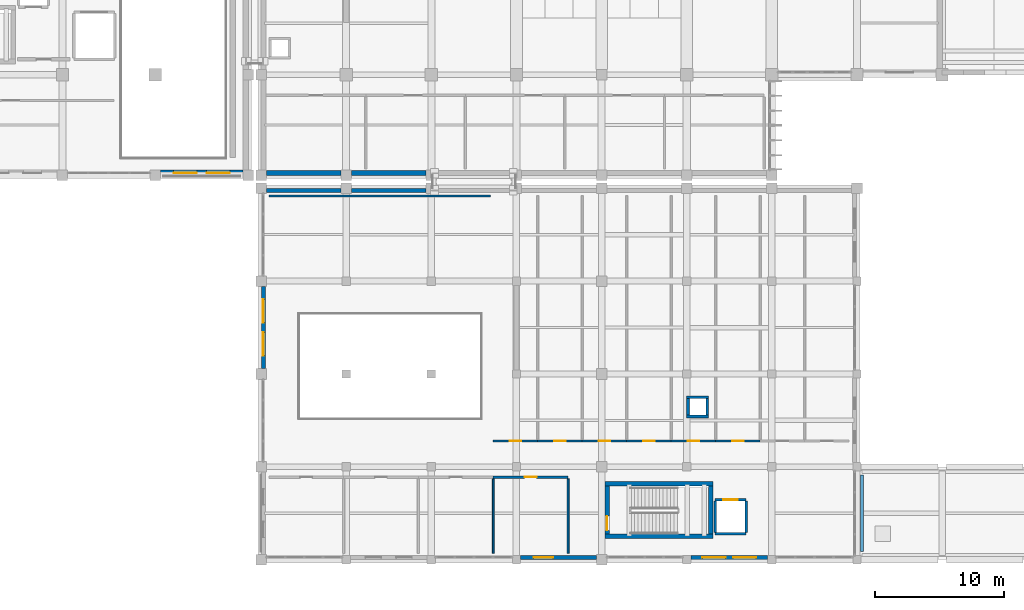
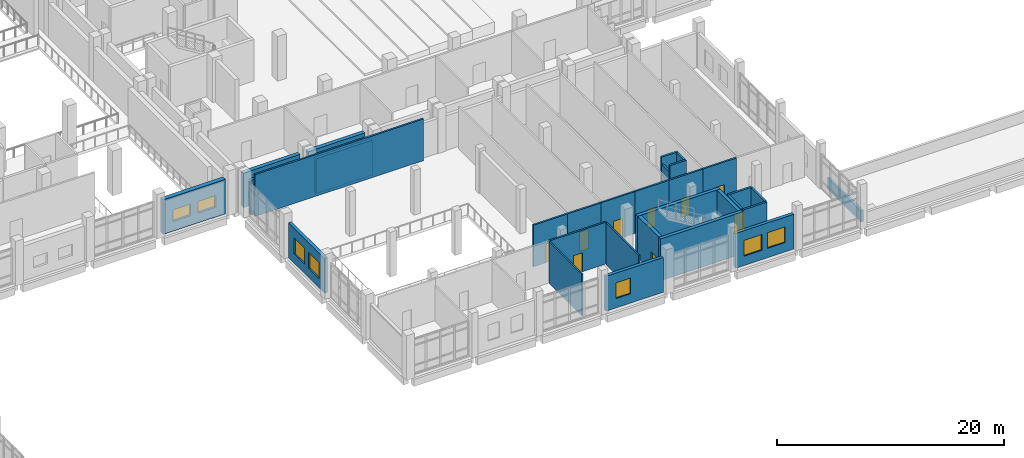
# One storey, part 65 of 90: 31 walls, 9 doors, 7 windows, 16 openings.
"""IFC4 building model written with IfcOpenShell, lengths in metres."""

from ifc_helpers import new_model, si_unit, direction, frame, frame_2d, origin, place, context, subcontext, project, spatial, rectangle, extrude, material, layer, layer_set, type_object, element, fill, save


model = new_model("IFC4")

# Units and contexts
model_context = context("Model", 3, precision=1e-05, world=origin(), true_north=direction((0.0, 1.0)))
body_context = subcontext(model_context, "Body", "Model", "MODEL_VIEW")
ifc_project = project(units=[si_unit("LENGTHUNIT", "METRE"), si_unit("AREAUNIT", "SQUARE_METRE"), si_unit("VOLUMEUNIT", "CUBIC_METRE"), si_unit("PLANEANGLEUNIT", "RADIAN"), si_unit("MASSUNIT", "GRAM", prefix="KILO")], contexts=[model_context])

# Site, building, storey
site_placement = place(None, origin())
site = spatial("IfcSite", under=ifc_project, at=site_placement, CompositionType="ELEMENT")
building_placement = place(site_placement, origin())
building = spatial("IfcBuilding", under=site, at=building_placement, Name="Kelarvand Opera House", CompositionType="ELEMENT")
storey_placement = place(building_placement, frame((0.0, 0.0, 5.39990234375)))
storey = spatial("IfcBuildingStorey", under=building, at=storey_placement, Name="L01", CompositionType="ELEMENT", Elevation=5.39990234375)

# Walls
ifc_material_1 = material(Name="Concrete C35/45", Category="concrete")
ifc_layer_1 = layer(ifc_material_1, 0.39990234375, Name="Concrete C35/45", Category="concrete")
ifc_layer_set_1 = layer_set([ifc_layer_1], Name="Concrete C35/45")
wall_type_1 = type_object("IfcWallType", Name="Acoustic Brick-Travertine Double Wall 400", PredefinedType="SOLIDWALL", material=ifc_layer_set_1)
for number, where, z_axis, x_axis, name in (
    (1, (101.7900390625, 38.97998046875, 0.0), (0.0, 0.0, 1.0), (-1.0, 0.0, 0.0), "V1 L01 Exterior Wall EW-400 (87)"),
    (2, (95.18994140625, 38.97998046875, 0.0), (0.0, 0.0, 1.0), (-1.0, 0.0, 0.0), "V1 L01 Exterior Wall EW-400 (88)"),
):
    element("IfcWall", number, at=place(storey_placement, frame(where, z_axis=z_axis, x_axis=x_axis)), inside=storey, type_object=wall_type_1, Name=name, PredefinedType="SOLIDWALL", context=body_context, shape_type="SweptSolid", body=[
        extrude(rectangle(XDim=5.780029296875, YDim=0.39990234375, at=frame_2d((2.89013671875, 0.0))), origin(), (0.0, 0.0, 1.0), 3.72216796875),
    ])
ifc_material_2 = material(Name="Acoustic double-stud gypsum partition")
ifc_layer_2 = layer(ifc_material_2, 0.14990234375, Name="Acoustic double-stud gypsum partition")
ifc_layer_set_2 = layer_set([ifc_layer_2], Name="Acoustic double-stud gypsum partition")
wall_type_2 = type_object("IfcWallType", Name="Acoustic Room Partition Wall 150", PredefinedType="PARTITIONING", material=ifc_layer_set_2)
for number, where, z_axis, x_axis, name in (
    (3, (107.0, 9.5, 0.0), (0.0, 0.0, 1.0), (0.0, 1.0, 0.0), "V6 L01 Partition Wall IW-150 (421)"),
    (4, (112.800048828125, 9.5, 0.0), (0.0, 0.0, 1.0), (0.0, 1.0, 0.0), "V6 L01 Partition Wall IW-150 (422)"),
):
    element("IfcWall", number, at=place(storey_placement, frame(where, z_axis=z_axis, x_axis=x_axis)), inside=storey, type_object=wall_type_2, Name=name, PredefinedType="PARTITIONING", context=body_context, shape_type="SweptSolid", body=[
        extrude(rectangle(XDim=5.760009765625, YDim=0.14990234375, at=frame_2d((2.8798828125, 0.0))), origin(), (0.0, 0.0, 1.0), 4.4921875),
    ])
ifc_layer_3 = layer(ifc_material_1, 0.239990234375, Name="Concrete C35/45", Category="concrete")
ifc_layer_set_3 = layer_set([ifc_layer_3], Name="Concrete C35/45")
wall_type_3 = type_object("IfcWallType", Name="Capped Travertine Roof Parapet 240", PredefinedType="PARAPET", material=ifc_layer_set_3)
wall_1_placement = place(storey_placement, frame((135.580078125, 15.580078125, 0.0), z_axis=(0.0, 0.0, 1.0), x_axis=(0.0, -1.0, 0.0)))
element("IfcWall", 5, at=wall_1_placement, inside=storey, type_object=wall_type_3, Name="V6 Roof Parapet 43", PredefinedType="PARAPET", context=body_context, shape_type="SweptSolid", body=[
    extrude(rectangle(XDim=5.9599609375, YDim=0.239990234375, at=frame_2d((2.97998046875, 0.0))), origin(), (0.0, 0.0, 1.0), 1.2001953125),
])
ifc_material_3 = material(Name="Concrete C40/50", Category="concrete")
ifc_layer_4 = layer(ifc_material_3, 0.35009765625, Name="Concrete C40/50", Category="concrete")
ifc_layer_set_4 = layer_set([ifc_layer_4], Name="Concrete C40/50")
wall_type_4 = type_object("IfcWallType", Name="Core Stair and Lift Shear Wall 350", PredefinedType="SHEAR", material=ifc_layer_set_4)
for number, where, z_axis, x_axis, name in (
    (6, (115.64990234375, 10.824951171875, 0.0), (0.0, 0.0, 1.0), (1.0, 0.0, 0.0), "C8 Stair Core Shear Wall S L01"),
    (7, (124.050048828125, 14.875, 0.0), (0.0, 0.0, 1.0), (-1.0, 0.0, 0.0), "C8 Stair Core Shear Wall N L01"),
):
    element("IfcWall", number, at=place(storey_placement, frame(where, z_axis=z_axis, x_axis=x_axis)), inside=storey, type_object=wall_type_4, Name=name, PredefinedType="SHEAR", context=body_context, shape_type="SweptSolid", body=[
        extrude(rectangle(XDim=8.400146484375, YDim=0.35009765625, at=frame_2d((4.2001953125, 0.0))), origin(), (0.0, 0.0, 1.0), 4.5),
    ])

# Wall, opening, door
wall_2_placement = place(storey_placement, frame((115.824951171875, 11.0, 0.0), z_axis=(0.0, 0.0, 1.0), x_axis=(0.0, 1.0, 0.0)))
wall_2 = element("IfcWall", 8, at=wall_2_placement, inside=storey, type_object=wall_type_4, Name="C8 Stair Core Shear Wall W L01", PredefinedType="SHEAR", context=body_context, shape_type="SweptSolid", body=[
    extrude(rectangle(XDim=3.699951171875, YDim=0.35009765625, at=frame_2d((1.85009765625, 0.0))), origin(), (0.0, 0.0, 1.0), 4.5),
])
opening_1_placement = place(wall_2_placement, frame((0.280029296875, 0.0, 0.0)))
opening_1 = element("IfcOpeningElement", 9, at=opening_1_placement, cuts=wall_2, Name="Opening FD-01", PredefinedType="OPENING", context=body_context, shape_type="SweptSolid", body=[
    extrude(rectangle(XDim=1.10009765625, YDim=2.080078125, at=frame_2d((0.550048828125, 1.0400390625))), frame((0.0, 0.18505859375, 0.0), z_axis=(0.0, -1.0, 0.0), x_axis=(1.0, 0.0, 0.0)), (0.0, 0.0, 1.0), 0.3701171875),
])
ifc_material_4 = material(Name="Fire-rated brushed stainless steel", Category="steel")
door_type_1 = type_object("IfcDoorType", Name="Steel Fire-Rated Stair and FF Lobby Door 1100x2080", OperationType="NOTDEFINED", PredefinedType="DOOR", material=ifc_material_4)
door_1_placement = place(opening_1_placement, origin())
door_1 = element("IfcDoor", 10, at=door_1_placement, inside=storey, type_object=door_type_1, Name="C8 Stair ST-08 Fire Door L01", OperationType="SINGLE_SWING_LEFT", OverallHeight=2.080078125, OverallWidth=1.10009765625, PredefinedType="DOOR", context=body_context, shape_type="SweptSolid", body=[
    extrude(rectangle(XDim=1.10009765625, YDim=2.080078125, at=frame_2d((0.550048828125, 1.0400390625))), frame((0.0, 0.02490234375, 0.0), z_axis=(0.0, -1.0, 0.0), x_axis=(1.0, 0.0, 0.0)), (0.0, 0.0, 1.0), 0.050048828125),
])
fill(opening_1, door_1)

# Wall
wall_3_placement = place(storey_placement, frame((123.875, 14.699951171875, 0.0), z_axis=(0.0, 0.0, 1.0), x_axis=(0.0, -1.0, 0.0)))
element("IfcWall", 11, at=wall_3_placement, inside=storey, type_object=wall_type_4, Name="C8 Stair Core Shear Wall E L01", PredefinedType="SHEAR", context=body_context, shape_type="SweptSolid", body=[
    extrude(rectangle(XDim=3.699951171875, YDim=0.35009765625, at=frame_2d((1.85009765625, 0.0))), origin(), (0.0, 0.0, 1.0), 4.5),
])

# Wall, opening, door
ifc_layer_5 = layer(ifc_material_1, 0.179931640625, Name="Concrete C35/45", Category="concrete")
ifc_layer_set_5 = layer_set([ifc_layer_5], Name="Concrete C35/45")
wall_type_5 = type_object("IfcWallType", Name="Corridor Fire-Rated Partition Wall 180 EI90", PredefinedType="PARTITIONING", material=ifc_layer_set_5)
wall_4_placement = place(storey_placement, frame((107.0, 15.39990234375, 0.0), z_axis=(0.0, 0.0, 1.0), x_axis=(1.0, 0.0, 0.0)))
wall_4 = element("IfcWall", 12, at=wall_4_placement, inside=storey, type_object=wall_type_5, Name="V6 L01 Partition Wall IW-90 (423)", PredefinedType="PARTITIONING", context=body_context, shape_type="SweptSolid", body=[
    extrude(rectangle(XDim=5.800048828125, YDim=0.179931640625, at=frame_2d((2.89990234375, 0.0))), origin(), (0.0, 0.0, 1.0), 4.4921875),
])
opening_2_placement = place(wall_4_placement, frame((2.43994140625, 0.0, 0.0)))
opening_2 = element("IfcOpeningElement", 13, at=opening_2_placement, cuts=wall_4, Name="Opening D-01", PredefinedType="OPENING", context=body_context, shape_type="SweptSolid", body=[
    extrude(rectangle(XDim=0.919921875, YDim=2.050048828125, at=frame_2d((0.4599609375, 1.02490234375))), frame((0.0, 0.10009765625, 0.0), z_axis=(0.0, -1.0, 0.0), x_axis=(1.0, 0.0, 0.0)), (0.0, 0.0, 1.0), 0.199951171875),
])
ifc_material_5 = material(Name="Acoustic walnut-veneered hardwood", Category="wood")
door_type_2 = type_object("IfcDoorType", Name="Solid Timber Dressing and WC Door 920x2050", OperationType="NOTDEFINED", PredefinedType="DOOR", material=ifc_material_5)
door_2_placement = place(opening_2_placement, origin())
door_2 = element("IfcDoor", 14, at=door_2_placement, inside=storey, type_object=door_type_2, Name="V6 L01 Door D-01 (189)", OperationType="SINGLE_SWING_RIGHT", OverallHeight=2.050048828125, OverallWidth=0.919921875, PredefinedType="DOOR", context=body_context, shape_type="SweptSolid", body=[
    extrude(rectangle(XDim=0.919921875, YDim=2.050048828125, at=frame_2d((0.4599609375, 1.02490234375))), frame((0.0, 0.02490234375, 0.0), z_axis=(0.0, -1.0, 0.0), x_axis=(1.0, 0.0, 0.0)), (0.0, 0.0, 1.0), 0.050048828125),
])
fill(opening_2, door_2)

# Wall
wall_5_placement = place(storey_placement, frame((89.60009765625, 37.199951171875, 0.0), z_axis=(0.0, 0.0, 1.0), x_axis=(1.0, 0.0, 0.0)))
element("IfcWall", 15, at=wall_5_placement, inside=storey, type_object=wall_type_5, Name="V6 L01 Partition Wall IW-90 (424)", PredefinedType="PARTITIONING", context=body_context, shape_type="SweptSolid", body=[
    extrude(rectangle(XDim=17.199951171875, YDim=0.179931640625, at=frame_2d((8.60009765625, 0.0))), origin(), (0.0, 0.0, 1.0), 4.4921875),
])

# Wall, opening, door
wall_6_placement = place(storey_placement, frame((107.0, 18.199951171875, 0.0), z_axis=(0.0, 0.0, 1.0), x_axis=(1.0, 0.0, 0.0)))
wall_6 = element("IfcWall", 16, at=wall_6_placement, inside=storey, type_object=wall_type_5, Name="V6 L01 Partition Wall IW-90 (425)", PredefinedType="PARTITIONING", context=body_context, shape_type="SweptSolid", body=[
    extrude(rectangle(XDim=3.449951171875, YDim=0.179931640625, at=frame_2d((1.72509765625, 0.0))), origin(), (0.0, 0.0, 1.0), 4.4921875),
])
opening_3_placement = place(wall_6_placement, frame((1.264892578125, 0.0, 0.0)))
opening_3 = element("IfcOpeningElement", 17, at=opening_3_placement, cuts=wall_6, Name="Opening D-01", PredefinedType="OPENING", context=body_context, shape_type="SweptSolid", body=[
    extrude(rectangle(XDim=0.919921875, YDim=2.050048828125, at=frame_2d((0.4599609375, 1.02490234375))), frame((0.0, 0.10009765625, 0.0), z_axis=(0.0, -1.0, 0.0), x_axis=(1.0, 0.0, 0.0)), (0.0, 0.0, 1.0), 0.199951171875),
])
door_3_placement = place(opening_3_placement, origin())
door_3 = element("IfcDoor", 18, at=door_3_placement, inside=storey, type_object=door_type_2, Name="V6 L01 Door D-01 (190)", OperationType="SINGLE_SWING_LEFT", OverallHeight=2.050048828125, OverallWidth=0.919921875, PredefinedType="DOOR", context=body_context, shape_type="SweptSolid", body=[
    extrude(rectangle(XDim=0.919921875, YDim=2.050048828125, at=frame_2d((0.4599609375, 1.02490234375))), frame((0.0, 0.02490234375, 0.0), z_axis=(0.0, -1.0, 0.0), x_axis=(1.0, 0.0, 0.0)), (0.0, 0.0, 1.0), 0.050048828125),
])
fill(opening_3, door_3)

wall_7_placement = place(storey_placement, frame((110.449951171875, 18.199951171875, 0.0), z_axis=(0.0, 0.0, 1.0), x_axis=(1.0, 0.0, 0.0)))
wall_7 = element("IfcWall", 19, at=wall_7_placement, inside=storey, type_object=wall_type_5, Name="V6 L01 Partition Wall IW-90 (427)", PredefinedType="PARTITIONING", context=body_context, shape_type="SweptSolid", body=[
    extrude(rectangle(XDim=3.449951171875, YDim=0.179931640625, at=frame_2d((1.72509765625, 0.0))), origin(), (0.0, 0.0, 1.0), 4.4921875),
])
opening_4_placement = place(wall_7_placement, frame((1.264892578125, 0.0, 0.0)))
opening_4 = element("IfcOpeningElement", 20, at=opening_4_placement, cuts=wall_7, Name="Opening D-01", PredefinedType="OPENING", context=body_context, shape_type="SweptSolid", body=[
    extrude(rectangle(XDim=0.919921875, YDim=2.050048828125, at=frame_2d((0.4599609375, 1.02490234375))), frame((0.0, 0.10009765625, 0.0), z_axis=(0.0, -1.0, 0.0), x_axis=(1.0, 0.0, 0.0)), (0.0, 0.0, 1.0), 0.199951171875),
])
door_4_placement = place(opening_4_placement, origin())
door_4 = element("IfcDoor", 21, at=door_4_placement, inside=storey, type_object=door_type_2, Name="V6 L01 Door D-01 (191)", OperationType="SINGLE_SWING_RIGHT", OverallHeight=2.050048828125, OverallWidth=0.919921875, PredefinedType="DOOR", context=body_context, shape_type="SweptSolid", body=[
    extrude(rectangle(XDim=0.919921875, YDim=2.050048828125, at=frame_2d((0.4599609375, 1.02490234375))), frame((0.0, 0.02490234375, 0.0), z_axis=(0.0, -1.0, 0.0), x_axis=(1.0, 0.0, 0.0)), (0.0, 0.0, 1.0), 0.050048828125),
])
fill(opening_4, door_4)

wall_8_placement = place(storey_placement, frame((113.89990234375, 18.199951171875, 0.0), z_axis=(0.0, 0.0, 1.0), x_axis=(1.0, 0.0, 0.0)))
wall_8 = element("IfcWall", 22, at=wall_8_placement, inside=storey, type_object=wall_type_5, Name="V6 L01 Partition Wall IW-90 (429)", PredefinedType="PARTITIONING", context=body_context, shape_type="SweptSolid", body=[
    extrude(rectangle(XDim=3.4501953125, YDim=0.179931640625, at=frame_2d((1.72509765625, 0.0))), origin(), (0.0, 0.0, 1.0), 4.4921875),
])
opening_5_placement = place(wall_8_placement, frame((1.264892578125, 0.0, 0.0)))
opening_5 = element("IfcOpeningElement", 23, at=opening_5_placement, cuts=wall_8, Name="Opening D-01", PredefinedType="OPENING", context=body_context, shape_type="SweptSolid", body=[
    extrude(rectangle(XDim=0.919921875, YDim=2.050048828125, at=frame_2d((0.4599609375, 1.02490234375))), frame((0.0, 0.10009765625, 0.0), z_axis=(0.0, -1.0, 0.0), x_axis=(1.0, 0.0, 0.0)), (0.0, 0.0, 1.0), 0.199951171875),
])
door_5_placement = place(opening_5_placement, origin())
door_5 = element("IfcDoor", 24, at=door_5_placement, inside=storey, type_object=door_type_2, Name="V6 L01 Door D-01 (192)", OperationType="SINGLE_SWING_LEFT", OverallHeight=2.050048828125, OverallWidth=0.919921875, PredefinedType="DOOR", context=body_context, shape_type="SweptSolid", body=[
    extrude(rectangle(XDim=0.919921875, YDim=2.050048828125, at=frame_2d((0.4599609375, 1.02490234375))), frame((0.0, 0.02490234375, 0.0), z_axis=(0.0, -1.0, 0.0), x_axis=(1.0, 0.0, 0.0)), (0.0, 0.0, 1.0), 0.050048828125),
])
fill(opening_5, door_5)

wall_9_placement = place(storey_placement, frame((117.35009765625, 18.199951171875, 0.0), z_axis=(0.0, 0.0, 1.0), x_axis=(1.0, 0.0, 0.0)))
wall_9 = element("IfcWall", 25, at=wall_9_placement, inside=storey, type_object=wall_type_5, Name="V6 L01 Partition Wall IW-90 (431)", PredefinedType="PARTITIONING", context=body_context, shape_type="SweptSolid", body=[
    extrude(rectangle(XDim=3.449951171875, YDim=0.179931640625, at=frame_2d((1.72509765625, 0.0))), origin(), (0.0, 0.0, 1.0), 4.4921875),
])
opening_6_placement = place(wall_9_placement, frame((1.264892578125, 0.0, 0.0)))
opening_6 = element("IfcOpeningElement", 26, at=opening_6_placement, cuts=wall_9, Name="Opening D-01", PredefinedType="OPENING", context=body_context, shape_type="SweptSolid", body=[
    extrude(rectangle(XDim=0.919921875, YDim=2.050048828125, at=frame_2d((0.4599609375, 1.02490234375))), frame((0.0, 0.10009765625, 0.0), z_axis=(0.0, -1.0, 0.0), x_axis=(1.0, 0.0, 0.0)), (0.0, 0.0, 1.0), 0.199951171875),
])
door_6_placement = place(opening_6_placement, origin())
door_6 = element("IfcDoor", 27, at=door_6_placement, inside=storey, type_object=door_type_2, Name="V6 L01 Door D-01 (193)", OperationType="SINGLE_SWING_RIGHT", OverallHeight=2.050048828125, OverallWidth=0.919921875, PredefinedType="DOOR", context=body_context, shape_type="SweptSolid", body=[
    extrude(rectangle(XDim=0.919921875, YDim=2.050048828125, at=frame_2d((0.4599609375, 1.02490234375))), frame((0.0, 0.02490234375, 0.0), z_axis=(0.0, -1.0, 0.0), x_axis=(1.0, 0.0, 0.0)), (0.0, 0.0, 1.0), 0.050048828125),
])
fill(opening_6, door_6)

wall_10_placement = place(storey_placement, frame((120.800048828125, 18.199951171875, 0.0), z_axis=(0.0, 0.0, 1.0), x_axis=(1.0, 0.0, 0.0)))
wall_10 = element("IfcWall", 28, at=wall_10_placement, inside=storey, type_object=wall_type_5, Name="V6 L01 Partition Wall IW-90 (433)", PredefinedType="PARTITIONING", context=body_context, shape_type="SweptSolid", body=[
    extrude(rectangle(XDim=3.449951171875, YDim=0.179931640625, at=frame_2d((1.72509765625, 0.0))), origin(), (0.0, 0.0, 1.0), 4.4921875),
])
opening_7_placement = place(wall_10_placement, frame((1.264892578125, 0.0, 0.0)))
opening_7 = element("IfcOpeningElement", 29, at=opening_7_placement, cuts=wall_10, Name="Opening D-01", PredefinedType="OPENING", context=body_context, shape_type="SweptSolid", body=[
    extrude(rectangle(XDim=0.919921875, YDim=2.050048828125, at=frame_2d((0.4599609375, 1.02490234375))), frame((0.0, 0.10009765625, 0.0), z_axis=(0.0, -1.0, 0.0), x_axis=(1.0, 0.0, 0.0)), (0.0, 0.0, 1.0), 0.199951171875),
])
door_7_placement = place(opening_7_placement, origin())
door_7 = element("IfcDoor", 30, at=door_7_placement, inside=storey, type_object=door_type_2, Name="V6 L01 Door D-01 (194)", OperationType="SINGLE_SWING_LEFT", OverallHeight=2.050048828125, OverallWidth=0.919921875, PredefinedType="DOOR", context=body_context, shape_type="SweptSolid", body=[
    extrude(rectangle(XDim=0.919921875, YDim=2.050048828125, at=frame_2d((0.4599609375, 1.02490234375))), frame((0.0, 0.02490234375, 0.0), z_axis=(0.0, -1.0, 0.0), x_axis=(1.0, 0.0, 0.0)), (0.0, 0.0, 1.0), 0.050048828125),
])
fill(opening_7, door_7)

wall_11_placement = place(storey_placement, frame((124.25, 18.199951171875, 0.0), z_axis=(0.0, 0.0, 1.0), x_axis=(1.0, 0.0, 0.0)))
wall_11 = element("IfcWall", 31, at=wall_11_placement, inside=storey, type_object=wall_type_5, Name="V6 L01 Partition Wall IW-90 (435)", PredefinedType="PARTITIONING", context=body_context, shape_type="SweptSolid", body=[
    extrude(rectangle(XDim=3.449951171875, YDim=0.179931640625, at=frame_2d((1.72509765625, 0.0))), origin(), (0.0, 0.0, 1.0), 4.4921875),
])
opening_8_placement = place(wall_11_placement, frame((1.264892578125, 0.0, 0.0)))
opening_8 = element("IfcOpeningElement", 32, at=opening_8_placement, cuts=wall_11, Name="Opening D-01", PredefinedType="OPENING", context=body_context, shape_type="SweptSolid", body=[
    extrude(rectangle(XDim=0.919921875, YDim=2.050048828125, at=frame_2d((0.4599609375, 1.02490234375))), frame((0.0, 0.10009765625, 0.0), z_axis=(0.0, -1.0, 0.0), x_axis=(1.0, 0.0, 0.0)), (0.0, 0.0, 1.0), 0.199951171875),
])
door_8_placement = place(opening_8_placement, origin())
door_8 = element("IfcDoor", 33, at=door_8_placement, inside=storey, type_object=door_type_2, Name="V6 L01 Door D-01 (195)", OperationType="SINGLE_SWING_RIGHT", OverallHeight=2.050048828125, OverallWidth=0.919921875, PredefinedType="DOOR", context=body_context, shape_type="SweptSolid", body=[
    extrude(rectangle(XDim=0.919921875, YDim=2.050048828125, at=frame_2d((0.4599609375, 1.02490234375))), frame((0.0, 0.02490234375, 0.0), z_axis=(0.0, -1.0, 0.0), x_axis=(1.0, 0.0, 0.0)), (0.0, 0.0, 1.0), 0.050048828125),
])
fill(opening_8, door_8)

# Walls
ifc_layer_6 = layer(ifc_material_1, 0.320068359375, Name="Concrete C35/45", Category="concrete")
ifc_layer_set_6 = layer_set([ifc_layer_6], Name="Concrete C35/45")
wall_type_6 = type_object("IfcWallType", Name="Insulated Buff Brick Cavity Wall 320", PredefinedType="SOLIDWALL", material=ifc_layer_set_6)
for number, where, z_axis, x_axis, name in (
    (34, (89.409912109375, 37.6201171875, 0.0), (0.0, 0.0, 1.0), (1.0, 0.0, 0.0), "V6 L01 Exterior Wall EW-320 (723)"),
    (35, (96.010009765625, 37.6201171875, 0.0), (0.0, 0.0, 1.0), (1.0, 0.0, 0.0), "V6 L01 Exterior Wall EW-320 (724)"),
):
    element("IfcWall", number, at=place(storey_placement, frame(where, z_axis=z_axis, x_axis=x_axis)), inside=storey, type_object=wall_type_6, Name=name, PredefinedType="SOLIDWALL", context=body_context, shape_type="SweptSolid", body=[
        extrude(rectangle(XDim=5.780029296875, YDim=0.320068359375, at=frame_2d((2.89013671875, 0.0))), origin(), (0.0, 0.0, 1.0), 3.7421875),
    ])

# Wall, openings, windows
wall_12_placement = place(storey_placement, frame((89.179931640625, 23.81005859375, 0.0), z_axis=(0.0, 0.0, 1.0), x_axis=(0.0, 1.0, 0.0)))
wall_12 = element("IfcWall", 36, at=wall_12_placement, inside=storey, type_object=wall_type_6, Name="V6 L01 Exterior Wall EW-320 (731)", PredefinedType="SOLIDWALL", context=body_context, shape_type="SweptSolid", body=[
    extrude(rectangle(XDim=6.3798828125, YDim=0.320068359375, at=frame_2d((3.18994140625, 0.0))), origin(), (0.0, 0.0, 1.0), 3.7421875),
])
opening_9_placement = place(wall_12_placement, frame((1.013916015625, 0.0, 1.0)))
opening_9 = element("IfcOpeningElement", 37, at=opening_9_placement, cuts=wall_12, Name="Opening WN-18", PredefinedType="OPENING", context=body_context, shape_type="SweptSolid", body=[
    extrude(rectangle(XDim=1.800048828125, YDim=1.699951171875, at=frame_2d((0.89990234375, 0.85009765625))), frame((0.0, 0.169921875, 0.0), z_axis=(0.0, -1.0, 0.0), x_axis=(1.0, 0.0, 0.0)), (0.0, 0.0, 1.0), 0.340087890625),
])
opening_10_placement = place(wall_12_placement, frame((3.56591796875, 0.0, 1.0)))
opening_10 = element("IfcOpeningElement", 38, at=opening_10_placement, cuts=wall_12, Name="Opening WN-18", PredefinedType="OPENING", context=body_context, shape_type="SweptSolid", body=[
    extrude(rectangle(XDim=1.800048828125, YDim=1.699951171875, at=frame_2d((0.89990234375, 0.85009765625))), frame((0.0, 0.169921875, 0.0), z_axis=(0.0, -1.0, 0.0), x_axis=(1.0, 0.0, 0.0)), (0.0, 0.0, 1.0), 0.340087890625),
])
ifc_material_6 = material(Name="Thermally broken aluminium and low-E double glazing", Category="aluminium")
window_type_1 = type_object("IfcWindowType", Name="Recessed Aluminium Thermal Window 1800x1700 WN-18", PartitioningType="SINGLE_PANEL", PredefinedType="WINDOW", material=ifc_material_6)
window_1_placement = place(opening_9_placement, origin())
window_1 = element("IfcWindow", 39, at=window_1_placement, inside=storey, type_object=window_type_1, Name="V6 L01 Facade Window WN-18 (333)", OverallHeight=1.699951171875, OverallWidth=1.800048828125, PartitioningType="SINGLE_PANEL", PredefinedType="WINDOW", context=body_context, shape_type="SweptSolid", body=[
    extrude(rectangle(XDim=1.800048828125, YDim=1.699951171875, at=frame_2d((0.89990234375, 0.85009765625))), frame((0.0, 0.030029296875, 0.0), z_axis=(0.0, -1.0, 0.0), x_axis=(1.0, 0.0, 0.0)), (0.0, 0.0, 1.0), 0.06005859375),
])
fill(opening_9, window_1)
window_2_placement = place(opening_10_placement, origin())
window_2 = element("IfcWindow", 40, at=window_2_placement, inside=storey, type_object=window_type_1, Name="V6 L01 Facade Window WN-18 (334)", OverallHeight=1.699951171875, OverallWidth=1.800048828125, PartitioningType="SINGLE_PANEL", PredefinedType="WINDOW", context=body_context, shape_type="SweptSolid", body=[
    extrude(rectangle(XDim=1.800048828125, YDim=1.699951171875, at=frame_2d((0.89990234375, 0.85009765625))), frame((0.0, 0.030029296875, 0.0), z_axis=(0.0, -1.0, 0.0), x_axis=(1.0, 0.0, 0.0)), (0.0, 0.0, 1.0), 0.06005859375),
])
fill(opening_10, window_2)

wall_13_placement = place(storey_placement, frame((128.27490234375, 9.179931640625, 0.0), z_axis=(0.0, 0.0, 1.0), x_axis=(-1.0, 0.0, 0.0)))
wall_13 = element("IfcWall", 41, at=wall_13_placement, inside=storey, type_object=wall_type_6, Name="V6 L01 Exterior Wall EW-320 (732)", PredefinedType="SOLIDWALL", context=body_context, shape_type="SweptSolid", body=[
    extrude(rectangle(XDim=5.949951171875, YDim=0.320068359375, at=frame_2d((2.97509765625, 0.0))), origin(), (0.0, 0.0, 1.0), 3.7421875),
])
opening_11_placement = place(wall_13_placement, frame((0.885009765625, 0.0, 1.0)))
opening_11 = element("IfcOpeningElement", 42, at=opening_11_placement, cuts=wall_13, Name="Opening WN-18", PredefinedType="OPENING", context=body_context, shape_type="SweptSolid", body=[
    extrude(rectangle(XDim=1.800048828125, YDim=1.699951171875, at=frame_2d((0.89990234375, 0.85009765625))), frame((0.0, 0.169921875, 0.0), z_axis=(0.0, -1.0, 0.0), x_axis=(1.0, 0.0, 0.0)), (0.0, 0.0, 1.0), 0.340087890625),
])
opening_12_placement = place(wall_13_placement, frame((3.264892578125, 0.0, 1.0)))
opening_12 = element("IfcOpeningElement", 43, at=opening_12_placement, cuts=wall_13, Name="Opening WN-18", PredefinedType="OPENING", context=body_context, shape_type="SweptSolid", body=[
    extrude(rectangle(XDim=1.800048828125, YDim=1.699951171875, at=frame_2d((0.89990234375, 0.85009765625))), frame((0.0, 0.169921875, 0.0), z_axis=(0.0, -1.0, 0.0), x_axis=(1.0, 0.0, 0.0)), (0.0, 0.0, 1.0), 0.340087890625),
])
window_3_placement = place(opening_11_placement, origin())
window_3 = element("IfcWindow", 44, at=window_3_placement, inside=storey, type_object=window_type_1, Name="V6 L01 Facade Window WN-18 (335)", OverallHeight=1.699951171875, OverallWidth=1.800048828125, PartitioningType="SINGLE_PANEL", PredefinedType="WINDOW", context=body_context, shape_type="SweptSolid", body=[
    extrude(rectangle(XDim=1.800048828125, YDim=1.699951171875, at=frame_2d((0.89990234375, 0.85009765625))), frame((0.0, 0.030029296875, 0.0), z_axis=(0.0, -1.0, 0.0), x_axis=(1.0, 0.0, 0.0)), (0.0, 0.0, 1.0), 0.06005859375),
])
fill(opening_11, window_3)
window_4_placement = place(opening_12_placement, origin())
window_4 = element("IfcWindow", 45, at=window_4_placement, inside=storey, type_object=window_type_1, Name="V6 L01 Facade Window WN-18 (336)", OverallHeight=1.699951171875, OverallWidth=1.800048828125, PartitioningType="SINGLE_PANEL", PredefinedType="WINDOW", context=body_context, shape_type="SweptSolid", body=[
    extrude(rectangle(XDim=1.800048828125, YDim=1.699951171875, at=frame_2d((0.89990234375, 0.85009765625))), frame((0.0, 0.030029296875, 0.0), z_axis=(0.0, -1.0, 0.0), x_axis=(1.0, 0.0, 0.0)), (0.0, 0.0, 1.0), 0.06005859375),
])
fill(opening_12, window_4)

# Wall, opening, window
wall_14_placement = place(storey_placement, frame((114.989990234375, 9.179931640625, 0.0), z_axis=(0.0, 0.0, 1.0), x_axis=(-1.0, 0.0, 0.0)))
wall_14 = element("IfcWall", 46, at=wall_14_placement, inside=storey, type_object=wall_type_6, Name="V6 L01 Exterior Wall EW-320 (733)", PredefinedType="SOLIDWALL", context=body_context, shape_type="SweptSolid", body=[
    extrude(rectangle(XDim=5.864990234375, YDim=0.320068359375, at=frame_2d((2.9326171875, 0.0))), origin(), (0.0, 0.0, 1.0), 3.7421875),
])
opening_13_placement = place(wall_14_placement, frame((3.35498046875, 0.0, 1.0)))
opening_13 = element("IfcOpeningElement", 47, at=opening_13_placement, cuts=wall_14, Name="Opening WN-17", PredefinedType="OPENING", context=body_context, shape_type="SweptSolid", body=[
    extrude(rectangle(XDim=1.5, YDim=1.699951171875, at=frame_2d((0.75, 0.85009765625))), frame((0.0, 0.169921875, 0.0), z_axis=(0.0, -1.0, 0.0), x_axis=(1.0, 0.0, 0.0)), (0.0, 0.0, 1.0), 0.340087890625),
])
window_type_2 = type_object("IfcWindowType", Name="Recessed Aluminium Thermal Window 1500x1700 WN-17", PartitioningType="SINGLE_PANEL", PredefinedType="WINDOW", material=ifc_material_6)
window_5_placement = place(opening_13_placement, origin())
window_5 = element("IfcWindow", 48, at=window_5_placement, inside=storey, type_object=window_type_2, Name="V6 L01 Facade Window WN-17 (337)", OverallHeight=1.699951171875, OverallWidth=1.5, PartitioningType="SINGLE_PANEL", PredefinedType="WINDOW", context=body_context, shape_type="SweptSolid", body=[
    extrude(rectangle(XDim=1.5, YDim=1.699951171875, at=frame_2d((0.75, 0.85009765625))), frame((0.0, 0.030029296875, 0.0), z_axis=(0.0, -1.0, 0.0), x_axis=(1.0, 0.0, 0.0)), (0.0, 0.0, 1.0), 0.06005859375),
])
fill(opening_13, window_5)

# Walls
ifc_layer_7 = layer(ifc_material_1, 0.199951171875, Name="Concrete C35/45", Category="concrete")
ifc_layer_set_7 = layer_set([ifc_layer_7], Name="Concrete C35/45")
wall_type_7 = type_object("IfcWallType", Name="Lift and Riser Shaft Enclosure Wall 200 EI120", PredefinedType="PARTITIONING", material=ifc_layer_set_7)
for number, where, z_axis, x_axis, name in (
    (49, (122.0, 20.10009765625, 0.0), (0.0, 0.0, 1.0), (1.0, 0.0, 0.0), "RSR-V6 L01 Riser Shaft Wall 145"),
    (50, (123.699951171875, 21.60009765625, 0.0), (0.0, 0.0, 1.0), (-1.0, 0.0, 0.0), "RSR-V6 L01 Riser Shaft Wall 146"),
):
    element("IfcWall", number, at=place(storey_placement, frame(where, z_axis=z_axis, x_axis=x_axis)), inside=storey, type_object=wall_type_7, Name=name, PredefinedType="PARTITIONING", context=body_context, shape_type="SweptSolid", body=[
        extrude(rectangle(XDim=1.699951171875, YDim=0.199951171875, at=frame_2d((0.85009765625, 0.0))), origin(), (0.0, 0.0, 1.0), 4.5),
    ])
wall_15_placement = place(storey_placement, frame((122.10009765625, 20.199951171875, 0.0), z_axis=(0.0, 0.0, 1.0), x_axis=(0.0, 1.0, 0.0)))
element("IfcWall", 51, at=wall_15_placement, inside=storey, type_object=wall_type_7, Name="RSR-V6 L01 Riser Shaft Wall 147", PredefinedType="PARTITIONING", context=body_context, shape_type="SweptSolid", body=[
    extrude(rectangle(XDim=1.300048828125, YDim=0.199951171875, at=frame_2d((0.64990234375, 0.0))), origin(), (0.0, 0.0, 1.0), 3.7421875),
])
wall_16_placement = place(storey_placement, frame((123.60009765625, 21.5, 0.0), z_axis=(0.0, 0.0, 1.0), x_axis=(0.0, -1.0, 0.0)))
element("IfcWall", 52, at=wall_16_placement, inside=storey, type_object=wall_type_7, Name="RSR-V6 L01 Riser Shaft Wall 148", PredefinedType="PARTITIONING", context=body_context, shape_type="SweptSolid", body=[
    extrude(rectangle(XDim=1.300048828125, YDim=0.199951171875, at=frame_2d((0.64990234375, 0.0))), origin(), (0.0, 0.0, 1.0), 4.5),
])
wall_17_placement = place(storey_placement, frame((124.199951171875, 11.0, 0.0), z_axis=(0.0, 0.0, 1.0), x_axis=(1.0, 0.0, 0.0)))
element("IfcWall", 53, at=wall_17_placement, inside=storey, type_object=wall_type_7, Name="V6 L01 Partition Wall SW-200 (360)", PredefinedType="PARTITIONING", context=body_context, shape_type="SweptSolid", body=[
    extrude(rectangle(XDim=2.400146484375, YDim=0.199951171875, at=frame_2d((1.2001953125, 0.0))), origin(), (0.0, 0.0, 1.0), 4.4921875),
])

# Wall, opening, door
wall_18_placement = place(storey_placement, frame((126.60009765625, 13.64990234375, 0.0), z_axis=(0.0, 0.0, 1.0), x_axis=(-1.0, 0.0, 0.0)))
wall_18 = element("IfcWall", 54, at=wall_18_placement, inside=storey, type_object=wall_type_7, Name="V6 L01 Partition Wall SW-200 (361)", PredefinedType="PARTITIONING", context=body_context, shape_type="SweptSolid", body=[
    extrude(rectangle(XDim=2.400146484375, YDim=0.199951171875, at=frame_2d((1.2001953125, 0.0))), origin(), (0.0, 0.0, 1.0), 4.4921875),
])
opening_14_placement = place(wall_18_placement, frame((0.64990234375, 0.0, 0.0)))
opening_14 = element("IfcOpeningElement", 55, at=opening_14_placement, cuts=wall_18, Name="Opening LD-01", PredefinedType="OPENING", context=body_context, shape_type="SweptSolid", body=[
    extrude(rectangle(XDim=1.10009765625, YDim=2.14990234375, at=frame_2d((0.550048828125, 1.074951171875))), frame((0.0, 0.10986328125, 0.0), z_axis=(0.0, -1.0, 0.0), x_axis=(1.0, 0.0, 0.0)), (0.0, 0.0, 1.0), 0.219970703125),
])
door_type_3 = type_object("IfcDoorType", Name="Passenger Lift Sliding Landing Door 1100x2150", OperationType="SLIDING_TO_LEFT", PredefinedType="DOOR", material=ifc_material_4)
door_9_placement = place(opening_14_placement, origin())
door_9 = element("IfcDoor", 56, at=door_9_placement, inside=storey, type_object=door_type_3, Name="V6 L01 Door LD-01 (155)", OperationType="SLIDING_TO_LEFT", OverallHeight=2.14990234375, OverallWidth=1.10009765625, PredefinedType="DOOR", context=body_context, shape_type="SweptSolid", body=[
    extrude(rectangle(XDim=1.10009765625, YDim=2.14990234375, at=frame_2d((0.550048828125, 1.074951171875))), frame((0.0, 0.02490234375, 0.0), z_axis=(0.0, -1.0, 0.0), x_axis=(1.0, 0.0, 0.0)), (0.0, 0.0, 1.0), 0.050048828125),
])
fill(opening_14, door_9)

# Walls
for number, where, z_axis, x_axis, name in (
    (57, (124.199951171875, 11.10009765625, 0.0), (0.0, 0.0, 1.0), (0.0, 1.0, 0.0), "V6 L01 Partition Wall SW-200 (362)"),
    (58, (126.60009765625, 13.550048828125, 0.0), (0.0, 0.0, 1.0), (0.0, -1.0, 0.0), "V6 L01 Partition Wall SW-200 (363)"),
):
    element("IfcWall", number, at=place(storey_placement, frame(where, z_axis=z_axis, x_axis=x_axis)), inside=storey, type_object=wall_type_7, Name=name, PredefinedType="PARTITIONING", context=body_context, shape_type="SweptSolid", body=[
        extrude(rectangle(XDim=2.449951171875, YDim=0.199951171875, at=frame_2d((1.22509765625, 0.0))), origin(), (0.0, 0.0, 1.0), 4.4921875),
    ])

# Wall, openings, windows
ifc_layer_8 = layer(ifc_material_1, 0.43994140625, Name="Concrete C35/45", Category="concrete")
ifc_layer_set_8 = layer_set([ifc_layer_8], Name="Concrete C35/45")
wall_type_8 = type_object("IfcWallType", Name="Stage House Acoustic Cavity Wall 440", PredefinedType="SOLIDWALL", material=ifc_layer_set_8)
wall_19_placement = place(storey_placement, frame((87.590087890625, 38.97998046875, 0.0), z_axis=(0.0, 0.0, 1.0), x_axis=(-1.0, 0.0, 0.0)))
wall_19 = element("IfcWall", 59, at=wall_19_placement, inside=storey, type_object=wall_type_8, Name="V2 L01 Exterior Wall EW-440 (255)", PredefinedType="SOLIDWALL", context=body_context, shape_type="SweptSolid", body=[
    extrude(rectangle(XDim=6.380126953125, YDim=0.43994140625, at=frame_2d((3.18994140625, 0.0))), origin(), (0.0, 0.0, 1.0), 3.72216796875),
])
opening_15_placement = place(wall_19_placement, frame((1.013916015625, 0.0, 1.050048828125)))
opening_15 = element("IfcOpeningElement", 60, at=opening_15_placement, cuts=wall_19, Name="Opening WN-23", PredefinedType="OPENING", context=body_context, shape_type="SweptSolid", body=[
    extrude(rectangle(XDim=1.800048828125, YDim=1.25, at=frame_2d((0.89990234375, 0.625))), frame((0.0, 0.22998046875, 0.0), z_axis=(0.0, -1.0, 0.0), x_axis=(1.0, 0.0, 0.0)), (0.0, 0.0, 1.0), 0.4599609375),
])
opening_16_placement = place(wall_19_placement, frame((3.56591796875, 0.0, 1.050048828125)))
opening_16 = element("IfcOpeningElement", 61, at=opening_16_placement, cuts=wall_19, Name="Opening WN-23", PredefinedType="OPENING", context=body_context, shape_type="SweptSolid", body=[
    extrude(rectangle(XDim=1.800048828125, YDim=1.25, at=frame_2d((0.89990234375, 0.625))), frame((0.0, 0.22998046875, 0.0), z_axis=(0.0, -1.0, 0.0), x_axis=(1.0, 0.0, 0.0)), (0.0, 0.0, 1.0), 0.4599609375),
])
window_type_3 = type_object("IfcWindowType", Name="Recessed Aluminium Thermal Window 1800x1250 WN-23", PartitioningType="SINGLE_PANEL", PredefinedType="WINDOW", material=ifc_material_6)
window_6_placement = place(opening_15_placement, origin())
window_6 = element("IfcWindow", 62, at=window_6_placement, inside=storey, type_object=window_type_3, Name="V2 L01 Facade Window WN-23 (33)", OverallHeight=1.25, OverallWidth=1.800048828125, PartitioningType="SINGLE_PANEL", PredefinedType="WINDOW", context=body_context, shape_type="SweptSolid", body=[
    extrude(rectangle(XDim=1.800048828125, YDim=1.25, at=frame_2d((0.89990234375, 0.625))), frame((0.0, 0.030029296875, 0.0), z_axis=(0.0, -1.0, 0.0), x_axis=(1.0, 0.0, 0.0)), (0.0, 0.0, 1.0), 0.06005859375),
])
fill(opening_15, window_6)
window_7_placement = place(opening_16_placement, origin())
window_7 = element("IfcWindow", 63, at=window_7_placement, inside=storey, type_object=window_type_3, Name="V2 L01 Facade Window WN-23 (34)", OverallHeight=1.25, OverallWidth=1.800048828125, PartitioningType="SINGLE_PANEL", PredefinedType="WINDOW", context=body_context, shape_type="SweptSolid", body=[
    extrude(rectangle(XDim=1.800048828125, YDim=1.25, at=frame_2d((0.89990234375, 0.625))), frame((0.0, 0.030029296875, 0.0), z_axis=(0.0, -1.0, 0.0), x_axis=(1.0, 0.0, 0.0)), (0.0, 0.0, 1.0), 0.06005859375),
])
fill(opening_16, window_7)

save(model, "model.ifc")
